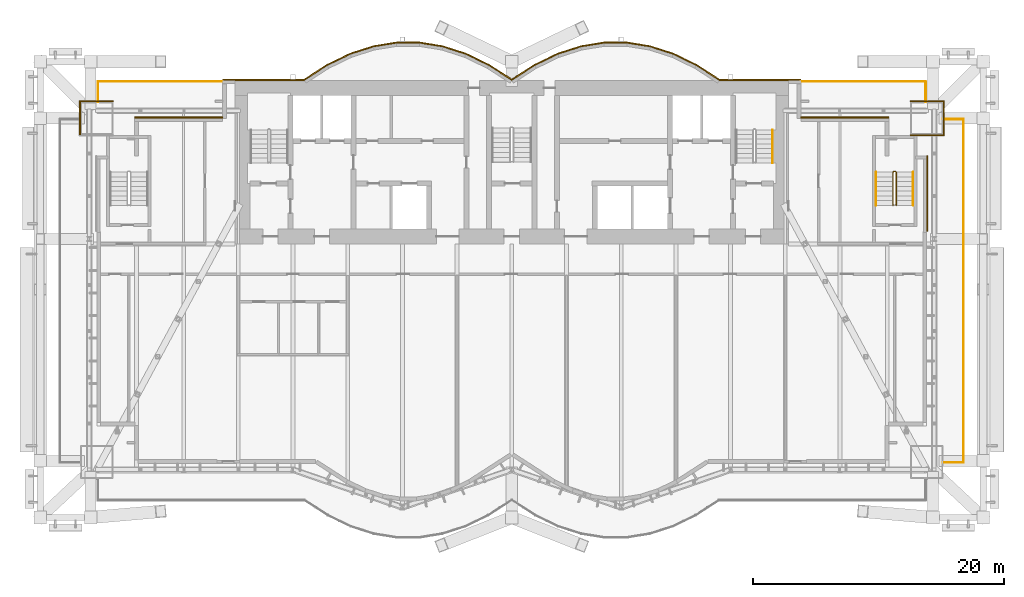
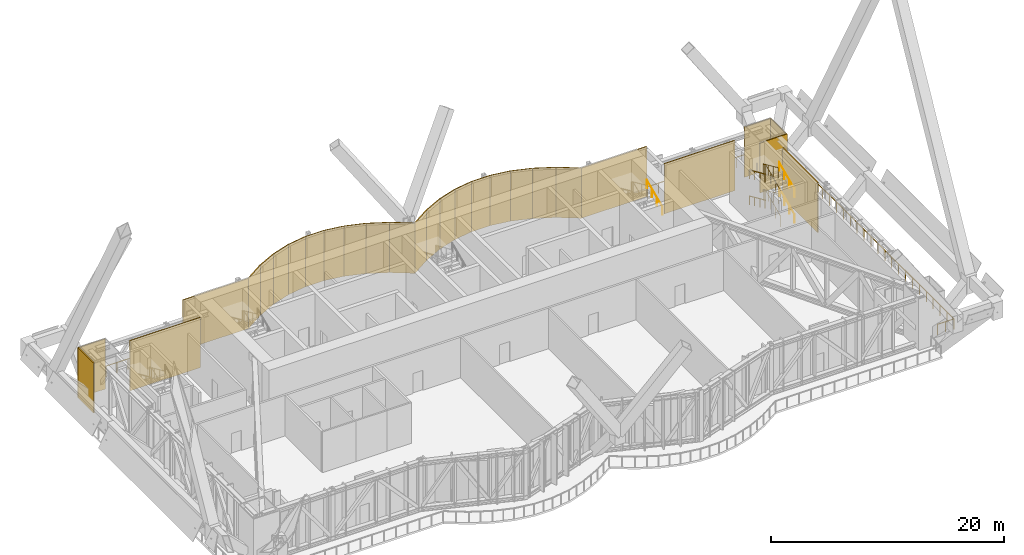
# One storey, part 30 of 30: 28 coverings, 10 railings.
"""IFC4 building model written with IfcOpenShell, lengths in metres."""

import ifcopenshell
import ifcopenshell.guid

model = None  # the IFC model being written
_history = None  # IfcOwnerHistory: only IFC2X3 demands one
_inside = {}  # id of a spatial element -> (the spatial element, [elements in it])
_under = {}  # id of a project, library or spatial element -> (it, [spatial elements below it])
_declared = {}  # id of a project -> (the project, [libraries it declares])
_typed = {}  # id of a type object -> (the type object, [elements of that type])
_made_of = {}  # id of a material, layer set ... -> (it, [elements and type objects made of it])


def new_model(schema):
    """Start an empty IFC model of exactly this schema.

    Asked for "IFC4X3", IfcOpenShell would pick the latest addendum, in which some entities
    have other attributes; the version numbers below select the first issue.
    IFC2X3 requires an IfcOwnerHistory on every rooted entity: one is made here for all.
    """
    global model, _history
    if schema == "IFC4X3":
        model = ifcopenshell.file(schema_version=(4, 3, 0, 0))
    else:
        model = ifcopenshell.file(schema=schema)
    _inside.clear()
    _under.clear()
    _declared.clear()
    _typed.clear()
    _made_of.clear()
    _history = None
    if model.schema == "IFC2X3":
        org = make("IfcOrganization", Name="unknown")
        user = make(
            "IfcPersonAndOrganization",
            ThePerson=make("IfcPerson", FamilyName="unknown"),
            TheOrganization=org,
        )
        app = make(
            "IfcApplication",
            ApplicationDeveloper=org,
            Version="unknown",
            ApplicationFullName="unknown",
            ApplicationIdentifier="unknown",
        )
        _history = make(
            "IfcOwnerHistory",
            OwningUser=user,
            OwningApplication=app,
            ChangeAction="ADDED",
            CreationDate=0,
        )
    return model


def make(cls, **values):
    """One entity of the class cls with the attributes given. An attribute that is None is left unset."""
    return model.create_entity(
        cls, **{name: value for name, value in values.items() if value is not None}
    )


def rooted(cls, **values):
    """An entity with a GlobalId (a new one), such as an element, a storey or a relation."""
    return make(cls, GlobalId=ifcopenshell.guid.new(), OwnerHistory=_history, **values)


def si_unit(unit_type, name, prefix=None):
    """IfcSIUnit, for example si_unit("LENGTHUNIT", "METRE", prefix="MILLI")."""
    return make("IfcSIUnit", UnitType=unit_type, Prefix=prefix, Name=name)


def assignment(units):
    """IfcUnitAssignment: the units of a project."""
    return None if units is None else make("IfcUnitAssignment", Units=units)


def point(xyz):
    """IfcCartesianPoint."""
    return None if xyz is None else make("IfcCartesianPoint", Coordinates=xyz)


def direction(xyz):
    """IfcDirection."""
    return None if xyz is None else make("IfcDirection", DirectionRatios=xyz)


def frame(location, z_axis=None, x_axis=None):
    """IfcAxis2Placement3D, a coordinate frame: its origin and axes. An axis left out is left unset."""
    return make(
        "IfcAxis2Placement3D",
        Location=point(location),
        Axis=direction(z_axis),
        RefDirection=direction(x_axis),
    )


def frame_2d(location, x_axis=None):
    """IfcAxis2Placement2D, a coordinate frame in the plane: its origin and x axis."""
    return make(
        "IfcAxis2Placement2D", Location=point(location), RefDirection=direction(x_axis)
    )


def origin():
    """The frame at (0, 0, 0) with its axes left unset."""
    return frame((0.0, 0.0, 0.0))


def origin_2d():
    """The frame at (0, 0) in the plane with its x axis left unset."""
    return frame_2d((0.0, 0.0))


def place(relative_to, where):
    """IfcLocalPlacement: puts the frame where relative to a parent placement (None: the world)."""
    return make(
        "IfcLocalPlacement", PlacementRelTo=relative_to, RelativePlacement=where
    )


def context(
    kind, dimensions, precision=None, world=None, true_north=None, identifier=None
):
    """IfcGeometricRepresentationContext, for example the 3D "Model" context."""
    return make(
        "IfcGeometricRepresentationContext",
        ContextIdentifier=identifier,
        ContextType=kind,
        CoordinateSpaceDimension=dimensions,
        Precision=precision,
        WorldCoordinateSystem=world,
        TrueNorth=true_north,
    )


def subcontext(parent, identifier, kind, view, scale=None):
    """IfcGeometricRepresentationSubContext, for example "Body" below "Model"."""
    return make(
        "IfcGeometricRepresentationSubContext",
        ContextIdentifier=identifier,
        ContextType=kind,
        ParentContext=parent,
        TargetScale=scale,
        TargetView=view,
    )


def project(units=None, contexts=None):
    """IfcProject with its units and contexts."""
    return rooted(
        "IfcProject",
        Name="project",
        RepresentationContexts=contexts,
        UnitsInContext=assignment(units),
    )


def spatial(cls, under=None, at=None, **own):
    """A site, building, storey or space (cls), placed at a placement, below another one or the project."""
    s = rooted(cls, ObjectPlacement=at, **own)
    if under is not None:
        _under.setdefault(under.id(), (under, []))[1].append(s)
    return s


def profile(cls, at=None, kind="AREA", **sizes):
    """A parametric profile (cls). Its sizes go by their IFC names, for example OverallWidth=200.0."""
    return make(cls, ProfileType=kind, Position=at, **sizes)


def rectangle(**sizes):
    """IfcRectangleProfileDef."""
    return profile("IfcRectangleProfileDef", **sizes)


def circle(**sizes):
    """IfcCircleProfileDef."""
    return profile("IfcCircleProfileDef", **sizes)


def extrude(swept, where, along, depth):
    """IfcExtrudedAreaSolid: the profile swept, set in the frame where, extruded along a direction by depth."""
    return make(
        "IfcExtrudedAreaSolid",
        SweptArea=swept,
        Position=where,
        ExtrudedDirection=direction(along),
        Depth=depth,
    )


def shape(context_of_items, identifier, shape_type, items):
    """IfcShapeRepresentation: the items that make up one representation, for example the "Body"."""
    return make(
        "IfcShapeRepresentation",
        ContextOfItems=context_of_items,
        RepresentationIdentifier=identifier,
        RepresentationType=shape_type,
        Items=items,
    )


def material(Name=None, Category=None):
    """IfcMaterial."""
    return make("IfcMaterial", Name=Name, Category=Category)


def layer(
    of_material, thickness, ventilated=None, Name=None, Category=None, Priority=None
):
    """IfcMaterialLayer: one layer of a wall or slab, of a material (None: an air gap)."""
    return make(
        "IfcMaterialLayer",
        Material=of_material,
        LayerThickness=thickness,
        IsVentilated=ventilated,
        Name=Name,
        Category=Category,
        Priority=Priority,
    )


def layer_set(layers, Name=None):
    """IfcMaterialLayerSet."""
    return make("IfcMaterialLayerSet", MaterialLayers=layers, LayerSetName=Name)


def made_of(thing, what):
    """Note that an element or type object is made of a material, layer set ...; save() writes the relation."""
    if what is not None:
        _made_of.setdefault(what.id(), (what, []))[1].append(thing)
    return thing


def type_object(cls, material=None, **own):
    """A type object (cls), such as IfcWallType, which elements share."""
    return made_of(rooted(cls, **own), material)


def element(
    cls,
    number,
    at=None,
    inside=None,
    cuts=None,
    type_object=None,
    material=None,
    context=None,
    identifier="Body",
    shape_type=None,
    held_by="IfcProductDefinitionShape",
    body=None,
    shapes=None,
    **own,
):
    """One element of the class cls, such as IfcWall. Its Tag is "e" and its number.

    at: its placement. inside: the storey or other place that contains it. cuts: it is an
    opening in that element (IfcRelVoidsElement). A single representation is given by context,
    identifier, shape_type and body (its items); several are given by shapes. held_by: the class
    of the entity that holds the representations. save() writes the other relations.
    """
    e = rooted(cls, Tag="e%d" % number, ObjectPlacement=at, **own)
    if body is not None:
        shapes = [shape(context, identifier, shape_type, body)]
    if shapes is not None:
        e.Representation = make(held_by, Representations=shapes)
    if inside is not None:
        _inside.setdefault(inside.id(), (inside, []))[1].append(e)
    if cuts is not None:
        rooted(
            "IfcRelVoidsElement", RelatingBuildingElement=cuts, RelatedOpeningElement=e
        )
    if type_object is not None:
        _typed.setdefault(type_object.id(), (type_object, []))[1].append(e)
    return made_of(e, material)


def aggregate(whole, parts):
    """IfcRelAggregates: a whole, such as a stair, and the parts it consists of."""
    return rooted("IfcRelAggregates", RelatingObject=whole, RelatedObjects=parts)


def save(model, path):
    """Write the relations noted so far, then the file.

    IfcRelAggregates (storeys below a building ...), IfcRelContainedInSpatialStructure (elements
    in a storey), IfcRelDefinesByType, IfcRelAssociatesMaterial and IfcRelDeclares: one each for
    every whole, place, type object, material and project.
    """
    for whole, parts in _under.values():
        aggregate(whole, parts)
    for where, things in _inside.values():
        rooted(
            "IfcRelContainedInSpatialStructure",
            RelatedElements=things,
            RelatingStructure=where,
        )
    for kind, things in _typed.values():
        rooted("IfcRelDefinesByType", RelatedObjects=things, RelatingType=kind)
    for what, things in _made_of.values():
        rooted("IfcRelAssociatesMaterial", RelatedObjects=things, RelatingMaterial=what)
    for by, libraries in _declared.values():
        rooted("IfcRelDeclares", RelatingContext=by, RelatedDefinitions=libraries)
    model.write(path)


model = new_model("IFC4")

# Units and contexts
model_context = context("Model", 3, precision=1e-05, world=origin(), true_north=direction((0.0, 1.0)))
body_context = subcontext(model_context, "Body", "Model", "MODEL_VIEW")
ifc_project = project(units=[si_unit("LENGTHUNIT", "METRE"), si_unit("AREAUNIT", "SQUARE_METRE"), si_unit("VOLUMEUNIT", "CUBIC_METRE"), si_unit("PLANEANGLEUNIT", "RADIAN"), si_unit("MASSUNIT", "GRAM", prefix="KILO")], contexts=[model_context])

# Site, building, storey
site_placement = place(None, origin())
site = spatial("IfcSite", under=ifc_project, at=site_placement, CompositionType="ELEMENT")
building_placement = place(site_placement, origin())
building = spatial("IfcBuilding", under=site, at=building_placement, Name="Bicima Exchange Tower", CompositionType="ELEMENT")
storey_placement = place(building_placement, frame((0.0, 0.0, 185.5)))
storey = spatial("IfcBuildingStorey", under=building, at=storey_placement, Name="L41", CompositionType="ELEMENT", Elevation=185.5)

# Coverings
ifc_material_1 = material(Name="Bronze metal cladding")
ifc_layer_1 = layer(ifc_material_1, 0.004)
ifc_material_2 = material(Name="Ventilated cavity")
ifc_layer_2 = layer(ifc_material_2, 0.06)
ifc_material_3 = material(Name="Galvanised steel rail and mineral wool", Category="steel")
ifc_layer_3 = layer(ifc_material_3, 0.036)
ifc_layer_set = layer_set([ifc_layer_1, ifc_layer_2, ifc_layer_3], Name="Ventilated cavity")
covering_type = type_object("IfcCoveringType", Name="Bronze metal cladding panel 100", PredefinedType="CLADDING", material=ifc_layer_set)
covering_1_placement = place(storey_placement, frame((33.050048828125, -9.0, 0.0), z_axis=(0.0, 0.0, 1.0), x_axis=(0.0, 1.0, 0.0)))
element("IfcCovering", 1, at=covering_1_placement, inside=storey, type_object=covering_type, Name="Bronze cladding L41 2.1", PredefinedType="CLADDING", context=body_context, shape_type="SweptSolid", body=[
    extrude(rectangle(XDim=6.0, YDim=0.10009765625, at=origin_2d()), origin(), (0.0, 0.0, 1.0), 5.25),
])
covering_2_placement = place(storey_placement, frame((26.5, -2.949951171875, 0.0), z_axis=(0.0, 0.0, 1.0), x_axis=(-1.0, 0.0, 0.0)))
element("IfcCovering", 2, at=covering_2_placement, inside=storey, type_object=covering_type, Name="Bronze cladding L41 5.1", PredefinedType="CLADDING", context=body_context, shape_type="SweptSolid", body=[
    extrude(rectangle(XDim=7.0, YDim=0.10009765625, at=origin_2d()), origin(), (0.0, 0.0, 1.0), 5.25),
])
covering_3_placement = place(storey_placement, frame((19.75, 0.050048828125, 0.0), z_axis=(0.0, 0.0, 1.0), x_axis=(-1.0, 0.0, 0.0)))
element("IfcCovering", 3, at=covering_3_placement, inside=storey, type_object=covering_type, Name="Bronze cladding L41 7.1", PredefinedType="CLADDING", context=body_context, shape_type="SweptSolid", body=[
    extrude(rectangle(XDim=6.5, YDim=0.10009765625, at=origin_2d()), origin(), (0.0, 0.0, 1.0), 5.25),
])
covering_4_placement = place(storey_placement, frame((15.610595703125, 0.634521484375, 0.0), z_axis=(0.0, 0.0, 1.0), x_axis=(-0.839790466384, 0.542910648791, 0.0)))
element("IfcCovering", 4, at=covering_4_placement, inside=storey, type_object=covering_type, Name="Bronze cladding L41 8.1", PredefinedType="CLADDING", context=body_context, shape_type="SweptSolid", body=[
    extrude(rectangle(XDim=2.18310546875, YDim=0.10009765625, at=origin_2d()), origin(), (0.0, 0.0, 1.0), 5.25),
])
covering_5_placement = place(storey_placement, frame((13.771728515625, 1.674560546875, 0.0), z_axis=(0.0, 0.0, 1.0), x_axis=(-0.899818346812, 0.436264762204, 0.0)))
element("IfcCovering", 5, at=covering_5_placement, inside=storey, type_object=covering_type, Name="Bronze cladding L41 9.1", PredefinedType="CLADDING", context=body_context, shape_type="SweptSolid", body=[
    extrude(rectangle(XDim=2.03759765625, YDim=0.10009765625, at=origin_2d()), origin(), (0.0, 0.0, 1.0), 5.25),
])
covering_6_placement = place(storey_placement, frame((11.931884765625, 2.41796875, 0.0), z_axis=(0.0, 0.0, 1.0), x_axis=(-0.951524642381, 0.307572519808, 0.0)))
element("IfcCovering", 6, at=covering_6_placement, inside=storey, type_object=covering_type, Name="Bronze cladding L41 10.1", PredefinedType="CLADDING", context=body_context, shape_type="SweptSolid", body=[
    extrude(rectangle(XDim=1.9267578125, YDim=0.10009765625, at=origin_2d()), origin(), (0.0, 0.0, 1.0), 5.25),
])
covering_7_placement = place(storey_placement, frame((10.09130859375, 2.8642578125, 0.0), z_axis=(0.0, 0.0, 1.0), x_axis=(-0.987189786347, 0.159550386184, 0.0)))
element("IfcCovering", 7, at=covering_7_placement, inside=storey, type_object=covering_type, Name="Bronze cladding L41 11.1", PredefinedType="CLADDING", context=body_context, shape_type="SweptSolid", body=[
    extrude(rectangle(XDim=1.857177734375, YDim=0.10009765625, at=origin_2d()), origin(), (0.0, 0.0, 1.0), 5.25),
])
covering_8_placement = place(storey_placement, frame((8.25, 3.012939453125, 0.0), z_axis=(0.0, 0.0, 1.0), x_axis=(-1.0, 0.0, 0.0)))
element("IfcCovering", 8, at=covering_8_placement, inside=storey, type_object=covering_type, Name="Bronze cladding L41 12.1", PredefinedType="CLADDING", context=body_context, shape_type="SweptSolid", body=[
    extrude(rectangle(XDim=1.83349609375, YDim=0.10009765625, at=origin_2d()), origin(), (0.0, 0.0, 1.0), 5.25),
])
covering_9_placement = place(storey_placement, frame((6.40869140625, 2.8642578125, 0.0), z_axis=(0.0, 0.0, 1.0), x_axis=(-0.987189786347, -0.159550386184, 0.0)))
element("IfcCovering", 9, at=covering_9_placement, inside=storey, type_object=covering_type, Name="Bronze cladding L41 13.1", PredefinedType="CLADDING", context=body_context, shape_type="SweptSolid", body=[
    extrude(rectangle(XDim=1.857177734375, YDim=0.10009765625, at=origin_2d()), origin(), (0.0, 0.0, 1.0), 5.25),
])
covering_10_placement = place(storey_placement, frame((4.568115234375, 2.41796875, 0.0), z_axis=(0.0, 0.0, 1.0), x_axis=(-0.951524642381, -0.307572519808, 0.0)))
element("IfcCovering", 10, at=covering_10_placement, inside=storey, type_object=covering_type, Name="Bronze cladding L41 14.1", PredefinedType="CLADDING", context=body_context, shape_type="SweptSolid", body=[
    extrude(rectangle(XDim=1.9267578125, YDim=0.10009765625, at=origin_2d()), origin(), (0.0, 0.0, 1.0), 5.25),
])
covering_11_placement = place(storey_placement, frame((2.728271484375, 1.674560546875, 0.0), z_axis=(0.0, 0.0, 1.0), x_axis=(-0.899818346812, -0.436264762204, 0.0)))
element("IfcCovering", 11, at=covering_11_placement, inside=storey, type_object=covering_type, Name="Bronze cladding L41 15.1", PredefinedType="CLADDING", context=body_context, shape_type="SweptSolid", body=[
    extrude(rectangle(XDim=2.03759765625, YDim=0.10009765625, at=origin_2d()), origin(), (0.0, 0.0, 1.0), 5.25),
])
for number, where, z_axis, x_axis, name in (
    (12, (0.889404296875, 0.634521484375, 0.0), (0.0, 0.0, 1.0), (-0.839790466384, -0.542910648791, 0.0), "Bronze cladding L41 16.1"),
    (13, (-0.889404296875, 0.634521484375, 0.0), (0.0, 0.0, 1.0), (-0.839790466384, 0.542910648791, 0.0), "Bronze cladding L41 17.1"),
):
    element("IfcCovering", number, at=place(storey_placement, frame(where, z_axis=z_axis, x_axis=x_axis)), inside=storey, type_object=covering_type, Name=name, PredefinedType="CLADDING", context=body_context, shape_type="SweptSolid", body=[
        extrude(rectangle(XDim=2.18310546875, YDim=0.10009765625, at=origin_2d()), origin(), (0.0, 0.0, 1.0), 5.25),
    ])
covering_12_placement = place(storey_placement, frame((-2.728271484375, 1.674560546875, 0.0), z_axis=(0.0, 0.0, 1.0), x_axis=(-0.899818346812, 0.436264762204, 0.0)))
element("IfcCovering", 14, at=covering_12_placement, inside=storey, type_object=covering_type, Name="Bronze cladding L41 18.1", PredefinedType="CLADDING", context=body_context, shape_type="SweptSolid", body=[
    extrude(rectangle(XDim=2.03759765625, YDim=0.10009765625, at=origin_2d()), origin(), (0.0, 0.0, 1.0), 5.25),
])
covering_13_placement = place(storey_placement, frame((-4.568115234375, 2.41796875, 0.0), z_axis=(0.0, 0.0, 1.0), x_axis=(-0.951524642381, 0.307572519808, 0.0)))
element("IfcCovering", 15, at=covering_13_placement, inside=storey, type_object=covering_type, Name="Bronze cladding L41 19.1", PredefinedType="CLADDING", context=body_context, shape_type="SweptSolid", body=[
    extrude(rectangle(XDim=1.9267578125, YDim=0.10009765625, at=origin_2d()), origin(), (0.0, 0.0, 1.0), 5.25),
])
covering_14_placement = place(storey_placement, frame((-6.40869140625, 2.8642578125, 0.0), z_axis=(0.0, 0.0, 1.0), x_axis=(-0.987189786347, 0.159550386184, 0.0)))
element("IfcCovering", 16, at=covering_14_placement, inside=storey, type_object=covering_type, Name="Bronze cladding L41 20.1", PredefinedType="CLADDING", context=body_context, shape_type="SweptSolid", body=[
    extrude(rectangle(XDim=1.857177734375, YDim=0.10009765625, at=origin_2d()), origin(), (0.0, 0.0, 1.0), 5.25),
])
covering_15_placement = place(storey_placement, frame((-8.25, 3.012939453125, 0.0), z_axis=(0.0, 0.0, 1.0), x_axis=(-1.0, 0.0, 0.0)))
element("IfcCovering", 17, at=covering_15_placement, inside=storey, type_object=covering_type, Name="Bronze cladding L41 21.1", PredefinedType="CLADDING", context=body_context, shape_type="SweptSolid", body=[
    extrude(rectangle(XDim=1.83349609375, YDim=0.10009765625, at=origin_2d()), origin(), (0.0, 0.0, 1.0), 5.25),
])
covering_16_placement = place(storey_placement, frame((-10.09130859375, 2.8642578125, 0.0), z_axis=(0.0, 0.0, 1.0), x_axis=(-0.987189786347, -0.159550386184, 0.0)))
element("IfcCovering", 18, at=covering_16_placement, inside=storey, type_object=covering_type, Name="Bronze cladding L41 22.1", PredefinedType="CLADDING", context=body_context, shape_type="SweptSolid", body=[
    extrude(rectangle(XDim=1.857177734375, YDim=0.10009765625, at=origin_2d()), origin(), (0.0, 0.0, 1.0), 5.25),
])
covering_17_placement = place(storey_placement, frame((-11.931884765625, 2.41796875, 0.0), z_axis=(0.0, 0.0, 1.0), x_axis=(-0.951524642381, -0.307572519808, 0.0)))
element("IfcCovering", 19, at=covering_17_placement, inside=storey, type_object=covering_type, Name="Bronze cladding L41 23.1", PredefinedType="CLADDING", context=body_context, shape_type="SweptSolid", body=[
    extrude(rectangle(XDim=1.9267578125, YDim=0.10009765625, at=origin_2d()), origin(), (0.0, 0.0, 1.0), 5.25),
])
covering_18_placement = place(storey_placement, frame((-13.771728515625, 1.674560546875, 0.0), z_axis=(0.0, 0.0, 1.0), x_axis=(-0.899818346812, -0.436264762204, 0.0)))
element("IfcCovering", 20, at=covering_18_placement, inside=storey, type_object=covering_type, Name="Bronze cladding L41 24.1", PredefinedType="CLADDING", context=body_context, shape_type="SweptSolid", body=[
    extrude(rectangle(XDim=2.03759765625, YDim=0.10009765625, at=origin_2d()), origin(), (0.0, 0.0, 1.0), 5.25),
])
covering_19_placement = place(storey_placement, frame((-15.610595703125, 0.634521484375, 0.0), z_axis=(0.0, 0.0, 1.0), x_axis=(-0.839790466384, -0.542910648791, 0.0)))
element("IfcCovering", 21, at=covering_19_placement, inside=storey, type_object=covering_type, Name="Bronze cladding L41 25.1", PredefinedType="CLADDING", context=body_context, shape_type="SweptSolid", body=[
    extrude(rectangle(XDim=2.18310546875, YDim=0.10009765625, at=origin_2d()), origin(), (0.0, 0.0, 1.0), 5.25),
])
covering_20_placement = place(storey_placement, frame((-19.75, 0.050048828125, 0.0), z_axis=(0.0, 0.0, 1.0), x_axis=(-1.0, 0.0, 0.0)))
element("IfcCovering", 22, at=covering_20_placement, inside=storey, type_object=covering_type, Name="Bronze cladding L41 26.1", PredefinedType="CLADDING", context=body_context, shape_type="SweptSolid", body=[
    extrude(rectangle(XDim=6.5, YDim=0.10009765625, at=origin_2d()), origin(), (0.0, 0.0, 1.0), 5.25),
])
covering_21_placement = place(storey_placement, frame((-26.5, -2.949951171875, 0.0), z_axis=(0.0, 0.0, 1.0), x_axis=(-1.0, 0.0, 0.0)))
element("IfcCovering", 23, at=covering_21_placement, inside=storey, type_object=covering_type, Name="Bronze cladding L41 28.1", PredefinedType="CLADDING", context=body_context, shape_type="SweptSolid", body=[
    extrude(rectangle(XDim=7.0, YDim=0.10009765625, at=origin_2d()), origin(), (0.0, 0.0, 1.0), 5.25),
])
covering_22_placement = place(storey_placement, frame((-33.050048828125, -1.64990234375, 0.0), z_axis=(0.0, 0.0, 1.0), x_axis=(1.0, 0.0, 0.0)))
element("IfcCovering", 24, at=covering_22_placement, inside=storey, type_object=covering_type, Name="Column cladding L41 1N", PredefinedType="CLADDING", context=body_context, shape_type="SweptSolid", body=[
    extrude(rectangle(XDim=2.699951171875, YDim=0.10009765625, at=origin_2d()), origin(), (0.0, 0.0, 1.0), 5.25),
])
covering_23_placement = place(storey_placement, frame((-34.35009765625, -3.0, 0.0), z_axis=(0.0, 0.0, 1.0), x_axis=(1.0, 0.0, 0.0)))
element("IfcCovering", 25, at=covering_23_placement, inside=storey, type_object=covering_type, Name="Column cladding L41 1O", PredefinedType="CLADDING", context=body_context, shape_type="SweptSolid", body=[
    extrude(rectangle(XDim=0.10009765625, YDim=2.60009765625, at=origin_2d()), origin(), (0.0, 0.0, 1.0), 5.25),
])
for number, where, z_axis, x_axis, name in (
    (26, (33.050048828125, -1.64990234375, 0.0), (0.0, 0.0, 1.0), (1.0, 0.0, 0.0), "Column cladding L41 2N"),
    (27, (33.050048828125, -4.35009765625, 0.0), (0.0, 0.0, 1.0), (1.0, 0.0, 0.0), "Column cladding L41 2S"),
):
    element("IfcCovering", number, at=place(storey_placement, frame(where, z_axis=z_axis, x_axis=x_axis)), inside=storey, type_object=covering_type, Name=name, PredefinedType="CLADDING", context=body_context, shape_type="SweptSolid", body=[
        extrude(rectangle(XDim=2.699951171875, YDim=0.10009765625, at=origin_2d()), origin(), (0.0, 0.0, 1.0), 5.25),
    ])
covering_24_placement = place(storey_placement, frame((34.35009765625, -3.0, 0.0), z_axis=(0.0, 0.0, 1.0), x_axis=(1.0, 0.0, 0.0)))
element("IfcCovering", 28, at=covering_24_placement, inside=storey, type_object=covering_type, Name="Column cladding L41 2O", PredefinedType="CLADDING", context=body_context, shape_type="SweptSolid", body=[
    extrude(rectangle(XDim=0.10009765625, YDim=2.60009765625, at=origin_2d()), origin(), (0.0, 0.0, 1.0), 5.25),
])

# Railings
ifc_material_4 = material(Name="Stainless steel", Category="steel")
railing_type_1 = type_object("IfcRailingType", Name="Stair guard 1100", PredefinedType="GUARDRAIL", material=ifc_material_4)
railing_1_placement = place(storey_placement, frame((30.574951171875, -9.925048828125, 0.168701171875)))
element("IfcRailing", 29, at=railing_1_placement, inside=storey, type_object=railing_type_1, Name="L41 ST-EE stair guard 1", PredefinedType="GUARDRAIL", context=body_context, shape_type="SweptSolid", body=[
    extrude(circle(Radius=0.02392578125, at=origin_2d()), frame((0.0, 0.0, 1.076171875), z_axis=(0.0, 0.912201722539, 0.409741403079), x_axis=(-1.0, 0.0, 0.0)), (0.0, 0.0, 1.0), 2.88330078125),
    extrude(circle(Radius=0.02392578125, at=origin_2d()), frame((0.0, 2.630126953125, 2.25732421875), z_axis=(-0.708833529934, 0.705375805398, 0.0), x_axis=(-0.705375805398, -0.708833529934, 0.0)), (0.0, 0.0, 1.0), 0.070556640625),
    extrude(circle(Radius=0.02392578125, at=origin_2d()), frame((-0.050048828125, 2.679931640625, 2.25732421875), z_axis=(-1.0, 0.0, 0.0), x_axis=(0.0, -1.0, 0.0)), (0.0, 0.0, 1.0), 0.14990234375),
    extrude(circle(Radius=0.02392578125, at=origin_2d()), frame((-0.199951171875, 2.679931640625, 2.25732421875), z_axis=(-0.273668752699, -0.272333783174, 0.922463942026), x_axis=(0.705375805398, -0.708833529934, 0.0)), (0.0, 0.0, 1.0), 0.182861328125),
    extrude(circle(Radius=0.02392578125, at=origin_2d()), frame((-0.25, 2.630126953125, 2.42626953125), z_axis=(0.0, -0.912233369549, 0.409670940488), x_axis=(1.0, 0.0, 0.0)), (0.0, 0.0, 1.0), 2.883056640625),
    extrude(circle(Radius=0.02099609375, at=origin_2d()), origin(), (0.0, 0.0, 1.0), 1.052001953125),
    extrude(circle(Radius=0.02099609375, at=origin_2d()), frame((0.0, 0.876708984375, 0.393798828125)), (0.0, 0.0, 1.0), 1.052001953125),
    extrude(circle(Radius=0.02099609375, at=origin_2d()), frame((0.0, 1.75341796875, 0.78759765625)), (0.0, 0.0, 1.0), 1.052001953125),
    extrude(circle(Radius=0.02099609375, at=origin_2d()), frame((0.0, 2.630126953125, 1.181396484375)), (0.0, 0.0, 1.0), 1.052001953125),
    extrude(circle(Radius=0.02099609375, at=origin_2d()), frame((-0.050048828125, 2.679931640625, 1.181396484375)), (0.0, 0.0, 1.0), 1.052001953125),
    extrude(circle(Radius=0.02099609375, at=origin_2d()), frame((-0.199951171875, 2.679931640625, 1.181396484375)), (0.0, 0.0, 1.0), 1.052001953125),
    extrude(circle(Radius=0.02099609375, at=origin_2d()), frame((-0.25, 2.630126953125, 1.35009765625)), (0.0, 0.0, 1.0), 1.052001953125),
    extrude(circle(Radius=0.02099609375, at=origin_2d()), frame((-0.25, 1.75341796875, 1.743896484375)), (0.0, 0.0, 1.0), 1.052001953125),
    extrude(circle(Radius=0.02099609375, at=origin_2d()), frame((-0.25, 0.876708984375, 2.137451171875)), (0.0, 0.0, 1.0), 1.052001953125),
    extrude(circle(Radius=0.02099609375, at=origin_2d()), frame((-0.25, 0.0, 2.53125)), (0.0, 0.0, 1.0), 1.052001953125),
])
railing_2_placement = place(storey_placement, frame((30.574951171875, -9.925048828125, 2.86865234375)))
element("IfcRailing", 30, at=railing_2_placement, inside=storey, type_object=railing_type_1, Name="L41 ST-EE stair guard 2", PredefinedType="GUARDRAIL", context=body_context, shape_type="SweptSolid", body=[
    extrude(circle(Radius=0.02392578125, at=origin_2d()), frame((0.0, 0.0, 1.076171875), z_axis=(0.0, 0.912201722539, 0.409741403079), x_axis=(-1.0, 0.0, 0.0)), (0.0, 0.0, 1.0), 2.88330078125),
    extrude(circle(Radius=0.02392578125, at=origin_2d()), frame((0.0, 2.630126953125, 2.25732421875), z_axis=(-0.708833529934, 0.705375805398, 0.0), x_axis=(-0.705375805398, -0.708833529934, 0.0)), (0.0, 0.0, 1.0), 0.070556640625),
    extrude(circle(Radius=0.02392578125, at=origin_2d()), frame((-0.050048828125, 2.679931640625, 2.25732421875), z_axis=(-1.0, 0.0, 0.0), x_axis=(0.0, -1.0, 0.0)), (0.0, 0.0, 1.0), 0.14990234375),
    extrude(circle(Radius=0.02392578125, at=origin_2d()), frame((-0.199951171875, 2.679931640625, 2.25732421875), z_axis=(-0.273668752699, -0.272333783174, 0.922463942026), x_axis=(0.705375805398, -0.708833529934, 0.0)), (0.0, 0.0, 1.0), 0.182861328125),
    extrude(circle(Radius=0.02392578125, at=origin_2d()), frame((-0.25, 2.630126953125, 2.42626953125), z_axis=(0.0, -0.912233369549, 0.409670940488), x_axis=(1.0, 0.0, 0.0)), (0.0, 0.0, 1.0), 2.883056640625),
    extrude(circle(Radius=0.02099609375, at=origin_2d()), origin(), (0.0, 0.0, 1.0), 1.052001953125),
    extrude(circle(Radius=0.02099609375, at=origin_2d()), frame((0.0, 0.876708984375, 0.393798828125)), (0.0, 0.0, 1.0), 1.052001953125),
    extrude(circle(Radius=0.02099609375, at=origin_2d()), frame((0.0, 1.75341796875, 0.78759765625)), (0.0, 0.0, 1.0), 1.052001953125),
    extrude(circle(Radius=0.02099609375, at=origin_2d()), frame((0.0, 2.630126953125, 1.181396484375)), (0.0, 0.0, 1.0), 1.052001953125),
    extrude(circle(Radius=0.02099609375, at=origin_2d()), frame((-0.050048828125, 2.679931640625, 1.181396484375)), (0.0, 0.0, 1.0), 1.052001953125),
    extrude(circle(Radius=0.02099609375, at=origin_2d()), frame((-0.199951171875, 2.679931640625, 1.181396484375)), (0.0, 0.0, 1.0), 1.052001953125),
    extrude(circle(Radius=0.02099609375, at=origin_2d()), frame((-0.25, 2.630126953125, 1.35009765625)), (0.0, 0.0, 1.0), 1.052001953125),
    extrude(circle(Radius=0.02099609375, at=origin_2d()), frame((-0.25, 1.75341796875, 1.743896484375)), (0.0, 0.0, 1.0), 1.052001953125),
    extrude(circle(Radius=0.02099609375, at=origin_2d()), frame((-0.25, 0.876708984375, 2.137451171875)), (0.0, 0.0, 1.0), 1.052001953125),
    extrude(circle(Radius=0.02099609375, at=origin_2d()), frame((-0.25, 0.0, 2.53125)), (0.0, 0.0, 1.0), 1.052001953125),
])
railing_type_2 = type_object("IfcRailingType", Name="Stair handrail 900", PredefinedType="HANDRAIL", material=ifc_material_4)
for number, where, name in (
    (31, (20.75, -6.550048828125, 2.86865234375), "L41 ST-E stair handrail 3"),
    (32, (31.925048828125, -9.925048828125, 0.168701171875), "L41 ST-EE stair handrail 1"),
):
    element("IfcRailing", number, at=place(storey_placement, frame(where)), inside=storey, type_object=railing_type_2, Name=name, PredefinedType="HANDRAIL", context=body_context, shape_type="SweptSolid", body=[
        extrude(circle(Radius=0.02392578125, at=origin_2d()), frame((0.0, 0.0, 0.8759765625), z_axis=(0.0, 0.912201722539, 0.409741403079), x_axis=(-1.0, 0.0, 0.0)), (0.0, 0.0, 1.0), 2.88330078125),
        extrude(circle(Radius=0.02099609375, at=origin_2d()), origin(), (0.0, 0.0, 1.0), 0.851806640625),
        extrude(circle(Radius=0.02099609375, at=origin_2d()), frame((0.0, 0.876708984375, 0.393798828125)), (0.0, 0.0, 1.0), 0.851806640625),
        extrude(circle(Radius=0.02099609375, at=origin_2d()), frame((0.0, 1.75341796875, 0.78759765625)), (0.0, 0.0, 1.0), 0.851806640625),
        extrude(circle(Radius=0.02099609375, at=origin_2d()), frame((0.0, 2.630126953125, 1.181396484375)), (0.0, 0.0, 1.0), 0.851806640625),
    ])
railing_3_placement = place(storey_placement, frame((28.97509765625, -7.294921875, 1.518798828125)))
element("IfcRailing", 33, at=railing_3_placement, inside=storey, type_object=railing_type_2, Name="L41 ST-EE stair handrail 2", PredefinedType="HANDRAIL", context=body_context, shape_type="SweptSolid", body=[
    extrude(circle(Radius=0.02392578125, at=origin_2d()), frame((0.0, 0.0, 0.8759765625), z_axis=(0.0, -0.912233369549, 0.409670940488), x_axis=(1.0, 0.0, 0.0)), (0.0, 0.0, 1.0), 2.883056640625),
    extrude(circle(Radius=0.02099609375, at=origin_2d()), origin(), (0.0, 0.0, 1.0), 0.851806640625),
    extrude(circle(Radius=0.02099609375, at=origin_2d()), frame((0.0, -0.876708984375, 0.393798828125)), (0.0, 0.0, 1.0), 0.851806640625),
    extrude(circle(Radius=0.02099609375, at=origin_2d()), frame((0.0, -1.75341796875, 0.787353515625)), (0.0, 0.0, 1.0), 0.851806640625),
    extrude(circle(Radius=0.02099609375, at=origin_2d()), frame((0.0, -2.630126953125, 1.18115234375)), (0.0, 0.0, 1.0), 0.851806640625),
])
railing_4_placement = place(storey_placement, frame((31.925048828125, -9.925048828125, 2.86865234375)))
element("IfcRailing", 34, at=railing_4_placement, inside=storey, type_object=railing_type_2, Name="L41 ST-EE stair handrail 3", PredefinedType="HANDRAIL", context=body_context, shape_type="SweptSolid", body=[
    extrude(circle(Radius=0.02392578125, at=origin_2d()), frame((0.0, 0.0, 0.8759765625), z_axis=(0.0, 0.912201722539, 0.409741403079), x_axis=(-1.0, 0.0, 0.0)), (0.0, 0.0, 1.0), 2.88330078125),
    extrude(circle(Radius=0.02099609375, at=origin_2d()), origin(), (0.0, 0.0, 1.0), 0.851806640625),
    extrude(circle(Radius=0.02099609375, at=origin_2d()), frame((0.0, 0.876708984375, 0.393798828125)), (0.0, 0.0, 1.0), 0.851806640625),
    extrude(circle(Radius=0.02099609375, at=origin_2d()), frame((0.0, 1.75341796875, 0.78759765625)), (0.0, 0.0, 1.0), 0.851806640625),
    extrude(circle(Radius=0.02099609375, at=origin_2d()), frame((0.0, 2.630126953125, 1.181396484375)), (0.0, 0.0, 1.0), 0.851806640625),
])
railing_5_placement = place(storey_placement, frame((28.97509765625, -7.294921875, 4.241455078125)))
element("IfcRailing", 35, at=railing_5_placement, inside=storey, type_object=railing_type_2, Name="L41 ST-EE stair handrail 4", PredefinedType="HANDRAIL", context=body_context, shape_type="SweptSolid", body=[
    extrude(circle(Radius=0.02392578125, at=origin_2d()), frame((0.0, 0.0, 0.8759765625), z_axis=(0.0, -0.912201722539, 0.409741403079), x_axis=(1.0, 0.0, 0.0)), (0.0, 0.0, 1.0), 2.88330078125),
    extrude(circle(Radius=0.02099609375, at=origin_2d()), origin(), (0.0, 0.0, 1.0), 0.851806640625),
    extrude(circle(Radius=0.02099609375, at=origin_2d()), frame((0.0, -0.876708984375, 0.393798828125)), (0.0, 0.0, 1.0), 0.851806640625),
    extrude(circle(Radius=0.02099609375, at=origin_2d()), frame((0.0, -1.75341796875, 0.78759765625)), (0.0, 0.0, 1.0), 0.851806640625),
    extrude(circle(Radius=0.02099609375, at=origin_2d()), frame((0.0, -2.630126953125, 1.181396484375)), (0.0, 0.0, 1.0), 0.851806640625),
])
ifc_material_5 = material(Name="Stainless steel and bonded safety glass", Category="steel")
railing_type_3 = type_object("IfcRailingType", Name="Terrace guard 1100", PredefinedType="GUARDRAIL", material=ifc_material_5)
railing_6_placement = place(storey_placement, frame((-32.919921875, -1.699951171875, 0.0)))
element("IfcRailing", 36, at=railing_6_placement, inside=storey, type_object=railing_type_3, Name="Terrace guard L41 2", PredefinedType="GUARDRAIL", context=body_context, shape_type="SweptSolid", body=[
    extrude(circle(Radius=0.02392578125, at=origin_2d()), frame((0.0, 0.0, 1.076171875), z_axis=(0.0, 1.0, 0.0), x_axis=(-1.0, 0.0, 0.0)), (0.0, 0.0, 1.0), 1.619873046875),
    extrude(circle(Radius=0.02392578125, at=origin_2d()), frame((0.0, 1.619873046875, 1.076171875), z_axis=(1.0, 0.0, 0.0), x_axis=(0.0, 1.0, 0.0)), (0.0, 0.0, 1.0), 9.89990234375),
    extrude(circle(Radius=0.02099609375, at=origin_2d()), origin(), (0.0, 0.0, 1.0), 1.052001953125),
    extrude(circle(Radius=0.02099609375, at=origin_2d()), frame((0.0, 0.81005859375, 0.0)), (0.0, 0.0, 1.0), 1.052001953125),
    extrude(circle(Radius=0.02099609375, at=origin_2d()), frame((0.0, 1.619873046875, 0.0)), (0.0, 0.0, 1.0), 1.052001953125),
    extrude(circle(Radius=0.02099609375, at=origin_2d()), frame((1.10009765625, 1.619873046875, 0.0)), (0.0, 0.0, 1.0), 1.052001953125),
    extrude(circle(Radius=0.02099609375, at=origin_2d()), frame((2.199951171875, 1.619873046875, 0.0)), (0.0, 0.0, 1.0), 1.052001953125),
    extrude(circle(Radius=0.02099609375, at=origin_2d()), frame((3.300048828125, 1.619873046875, 0.0)), (0.0, 0.0, 1.0), 1.052001953125),
    extrude(circle(Radius=0.02099609375, at=origin_2d()), frame((4.39990234375, 1.619873046875, 0.0)), (0.0, 0.0, 1.0), 1.052001953125),
    extrude(circle(Radius=0.02099609375, at=origin_2d()), frame((5.5, 1.619873046875, 0.0)), (0.0, 0.0, 1.0), 1.052001953125),
    extrude(circle(Radius=0.02099609375, at=origin_2d()), frame((6.599853515625, 1.619873046875, 0.0)), (0.0, 0.0, 1.0), 1.052001953125),
    extrude(circle(Radius=0.02099609375, at=origin_2d()), frame((7.699951171875, 1.619873046875, 0.0)), (0.0, 0.0, 1.0), 1.052001953125),
    extrude(circle(Radius=0.02099609375, at=origin_2d()), frame((8.7998046875, 1.619873046875, 0.0)), (0.0, 0.0, 1.0), 1.052001953125),
    extrude(circle(Radius=0.02099609375, at=origin_2d()), frame((9.89990234375, 1.619873046875, 0.0)), (0.0, 0.0, 1.0), 1.052001953125),
])
railing_7_placement = place(storey_placement, frame((23.02001953125, -0.080078125, 0.0)))
element("IfcRailing", 37, at=railing_7_placement, inside=storey, type_object=railing_type_3, Name="Terrace guard L41 3", PredefinedType="GUARDRAIL", context=body_context, shape_type="SweptSolid", body=[
    extrude(circle(Radius=0.02392578125, at=origin_2d()), frame((0.0, 0.0, 1.076171875), z_axis=(1.0, 0.0, 0.0), x_axis=(0.0, 1.0, 0.0)), (0.0, 0.0, 1.0), 9.89990234375),
    extrude(circle(Radius=0.02392578125, at=origin_2d()), frame((9.89990234375, 0.0, 1.076171875), z_axis=(0.0, -1.0, 0.0), x_axis=(1.0, 0.0, 0.0)), (0.0, 0.0, 1.0), 1.619873046875),
    extrude(circle(Radius=0.02099609375, at=origin_2d()), origin(), (0.0, 0.0, 1.0), 1.052001953125),
    extrude(circle(Radius=0.02099609375, at=origin_2d()), frame((1.10009765625, 0.0, 0.0)), (0.0, 0.0, 1.0), 1.052001953125),
    extrude(circle(Radius=0.02099609375, at=origin_2d()), frame((2.199951171875, 0.0, 0.0)), (0.0, 0.0, 1.0), 1.052001953125),
    extrude(circle(Radius=0.02099609375, at=origin_2d()), frame((3.300048828125, 0.0, 0.0)), (0.0, 0.0, 1.0), 1.052001953125),
    extrude(circle(Radius=0.02099609375, at=origin_2d()), frame((4.39990234375, 0.0, 0.0)), (0.0, 0.0, 1.0), 1.052001953125),
    extrude(circle(Radius=0.02099609375, at=origin_2d()), frame((5.5, 0.0, 0.0)), (0.0, 0.0, 1.0), 1.052001953125),
    extrude(circle(Radius=0.02099609375, at=origin_2d()), frame((6.599853515625, 0.0, 0.0)), (0.0, 0.0, 1.0), 1.052001953125),
    extrude(circle(Radius=0.02099609375, at=origin_2d()), frame((7.699951171875, 0.0, 0.0)), (0.0, 0.0, 1.0), 1.052001953125),
    extrude(circle(Radius=0.02099609375, at=origin_2d()), frame((8.7998046875, 0.0, 0.0)), (0.0, 0.0, 1.0), 1.052001953125),
    extrude(circle(Radius=0.02099609375, at=origin_2d()), frame((9.89990234375, 0.0, 0.0)), (0.0, 0.0, 1.0), 1.052001953125),
    extrude(circle(Radius=0.02099609375, at=origin_2d()), frame((9.89990234375, -0.81005859375, 0.0)), (0.0, 0.0, 1.0), 1.052001953125),
    extrude(circle(Radius=0.02099609375, at=origin_2d()), frame((9.89990234375, -1.619873046875, 0.0)), (0.0, 0.0, 1.0), 1.052001953125),
])
railing_8_placement = place(storey_placement, frame((34.300048828125, -3.080078125, 0.0)))
element("IfcRailing", 38, at=railing_8_placement, inside=storey, type_object=railing_type_3, Name="Terrace guard L41 4", PredefinedType="GUARDRAIL", context=body_context, shape_type="SweptSolid", body=[
    extrude(circle(Radius=0.02392578125, at=origin_2d()), frame((0.0, 0.0, 1.076171875), z_axis=(1.0, 0.0, 0.0), x_axis=(0.0, 1.0, 0.0)), (0.0, 0.0, 1.0), 1.619873046875),
    extrude(circle(Radius=0.02392578125, at=origin_2d()), frame((1.619873046875, 0.0, 1.076171875), z_axis=(0.0, -1.0, 0.0), x_axis=(1.0, 0.0, 0.0)), (0.0, 0.0, 1.0), 27.2998046875),
    extrude(circle(Radius=0.02392578125, at=origin_2d()), frame((1.619873046875, -27.2998046875, 1.076171875), z_axis=(-1.0, 0.0, 0.0), x_axis=(0.0, -1.0, 0.0)), (0.0, 0.0, 1.0), 1.619873046875),
    extrude(circle(Radius=0.02099609375, at=origin_2d()), origin(), (0.0, 0.0, 1.0), 1.052001953125),
    extrude(circle(Radius=0.02099609375, at=origin_2d()), frame((0.81005859375, 0.0, 0.0)), (0.0, 0.0, 1.0), 1.052001953125),
    extrude(circle(Radius=0.02099609375, at=origin_2d()), frame((1.619873046875, 0.0, 0.0)), (0.0, 0.0, 1.0), 1.052001953125),
    extrude(circle(Radius=0.02099609375, at=origin_2d()), frame((1.619873046875, -1.18701171875, 0.0)), (0.0, 0.0, 1.0), 1.052001953125),
    extrude(circle(Radius=0.02099609375, at=origin_2d()), frame((1.619873046875, -2.373779296875, 0.0)), (0.0, 0.0, 1.0), 1.052001953125),
    extrude(circle(Radius=0.02099609375, at=origin_2d()), frame((1.619873046875, -3.560791015625, 0.0)), (0.0, 0.0, 1.0), 1.052001953125),
    extrude(circle(Radius=0.02099609375, at=origin_2d()), frame((1.619873046875, -4.747802734375, 0.0)), (0.0, 0.0, 1.0), 1.052001953125),
    extrude(circle(Radius=0.02099609375, at=origin_2d()), frame((1.619873046875, -5.934814453125, 0.0)), (0.0, 0.0, 1.0), 1.052001953125),
    extrude(circle(Radius=0.02099609375, at=origin_2d()), frame((1.619873046875, -7.12158203125, 0.0)), (0.0, 0.0, 1.0), 1.052001953125),
    extrude(circle(Radius=0.02099609375, at=origin_2d()), frame((1.619873046875, -8.30859375, 0.0)), (0.0, 0.0, 1.0), 1.052001953125),
    extrude(circle(Radius=0.02099609375, at=origin_2d()), frame((1.619873046875, -9.49560546875, 0.0)), (0.0, 0.0, 1.0), 1.052001953125),
    extrude(circle(Radius=0.02099609375, at=origin_2d()), frame((1.619873046875, -10.6826171875, 0.0)), (0.0, 0.0, 1.0), 1.052001953125),
    extrude(circle(Radius=0.02099609375, at=origin_2d()), frame((1.619873046875, -11.869384765625, 0.0)), (0.0, 0.0, 1.0), 1.052001953125),
    extrude(circle(Radius=0.02099609375, at=origin_2d()), frame((1.619873046875, -13.056396484375, 0.0)), (0.0, 0.0, 1.0), 1.052001953125),
    extrude(circle(Radius=0.02099609375, at=origin_2d()), frame((1.619873046875, -14.243408203125, 0.0)), (0.0, 0.0, 1.0), 1.052001953125),
    extrude(circle(Radius=0.02099609375, at=origin_2d()), frame((1.619873046875, -15.430419921875, 0.0)), (0.0, 0.0, 1.0), 1.052001953125),
    extrude(circle(Radius=0.02099609375, at=origin_2d()), frame((1.619873046875, -16.6171875, 0.0)), (0.0, 0.0, 1.0), 1.052001953125),
    extrude(circle(Radius=0.02099609375, at=origin_2d()), frame((1.619873046875, -17.80419921875, 0.0)), (0.0, 0.0, 1.0), 1.052001953125),
    extrude(circle(Radius=0.02099609375, at=origin_2d()), frame((1.619873046875, -18.9912109375, 0.0)), (0.0, 0.0, 1.0), 1.052001953125),
    extrude(circle(Radius=0.02099609375, at=origin_2d()), frame((1.619873046875, -20.17822265625, 0.0)), (0.0, 0.0, 1.0), 1.052001953125),
    extrude(circle(Radius=0.02099609375, at=origin_2d()), frame((1.619873046875, -21.364990234375, 0.0)), (0.0, 0.0, 1.0), 1.052001953125),
    extrude(circle(Radius=0.02099609375, at=origin_2d()), frame((1.619873046875, -22.552001953125, 0.0)), (0.0, 0.0, 1.0), 1.052001953125),
    extrude(circle(Radius=0.02099609375, at=origin_2d()), frame((1.619873046875, -23.739013671875, 0.0)), (0.0, 0.0, 1.0), 1.052001953125),
    extrude(circle(Radius=0.02099609375, at=origin_2d()), frame((1.619873046875, -24.926025390625, 0.0)), (0.0, 0.0, 1.0), 1.052001953125),
    extrude(circle(Radius=0.02099609375, at=origin_2d()), frame((1.619873046875, -26.11279296875, 0.0)), (0.0, 0.0, 1.0), 1.052001953125),
    extrude(circle(Radius=0.02099609375, at=origin_2d()), frame((1.619873046875, -27.2998046875, 0.0)), (0.0, 0.0, 1.0), 1.052001953125),
    extrude(circle(Radius=0.02099609375, at=origin_2d()), frame((0.81005859375, -27.2998046875, 0.0)), (0.0, 0.0, 1.0), 1.052001953125),
    extrude(circle(Radius=0.02099609375, at=origin_2d()), frame((0.0, -27.2998046875, 0.0)), (0.0, 0.0, 1.0), 1.052001953125),
])

save(model, "model.ifc")
